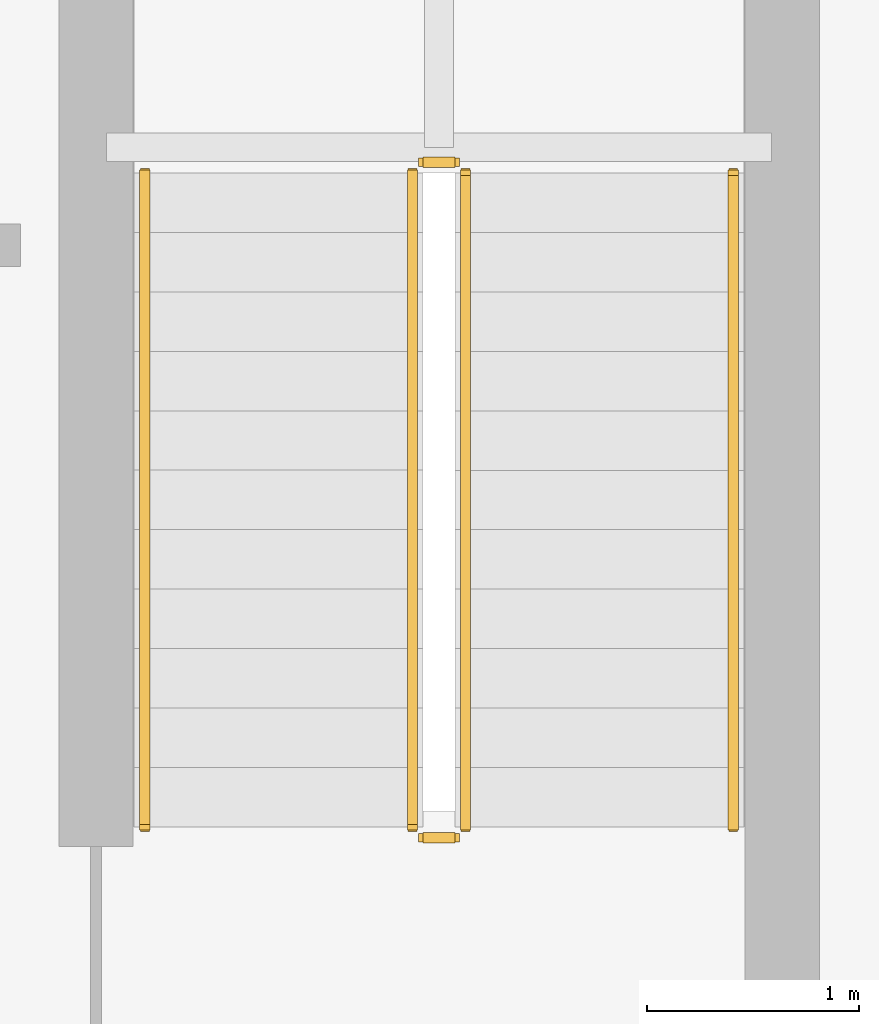
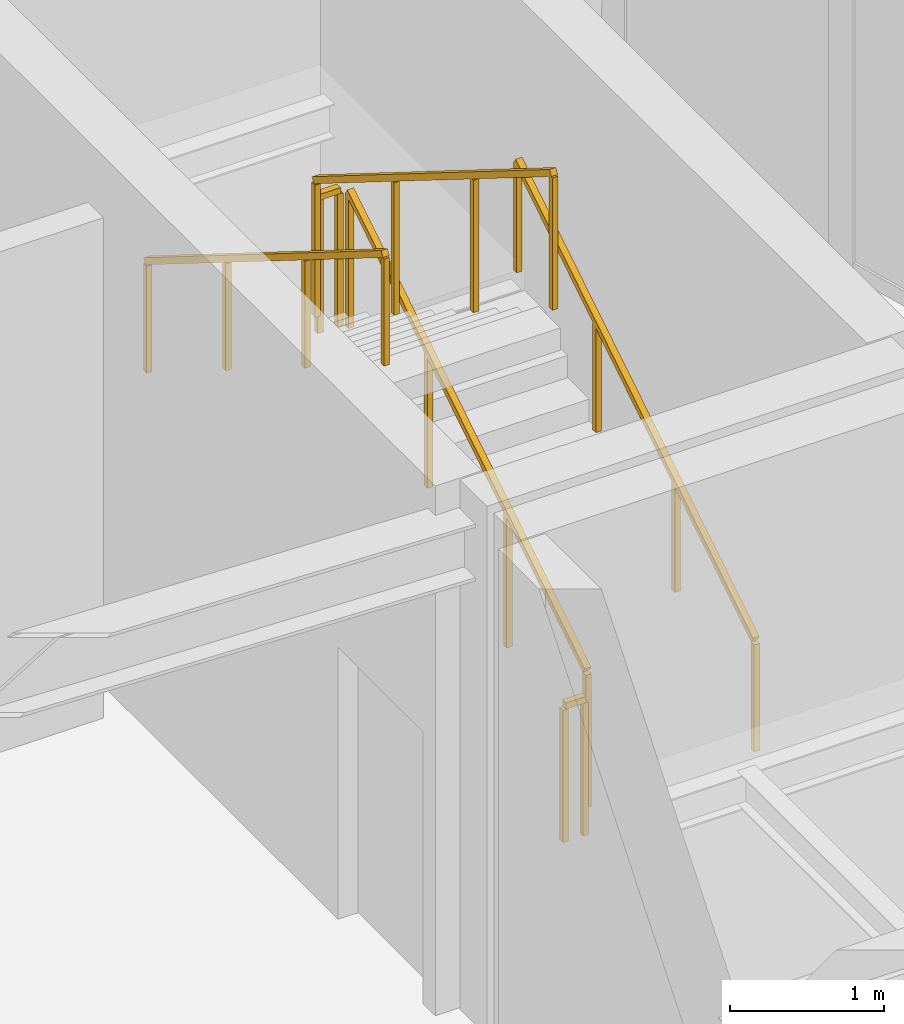
# One storey, part 21 of 21: 6 railings.
"""IFC4 building model written with IfcOpenShell, lengths in metres."""

from ifc_helpers import new_model, si_unit, direction, frame, origin, origin_2d, place, context, subcontext, project, spatial, rectangle, extrude, material, type_object, element, save


model = new_model("IFC4")

# Units and contexts
model_context = context("Model", 3, precision=1e-05, world=origin(), true_north=direction((0.0, 1.0)))
body_context = subcontext(model_context, "Body", "Model", "MODEL_VIEW")
ifc_project = project(units=[si_unit("LENGTHUNIT", "METRE"), si_unit("AREAUNIT", "SQUARE_METRE"), si_unit("VOLUMEUNIT", "CUBIC_METRE"), si_unit("PLANEANGLEUNIT", "RADIAN"), si_unit("MASSUNIT", "GRAM", prefix="KILO")], contexts=[model_context])

# Site, building, storey
site_placement = place(None, origin())
site = spatial("IfcSite", under=ifc_project, at=site_placement, CompositionType="ELEMENT")
building_placement = place(site_placement, origin())
building = spatial("IfcBuilding", under=site, at=building_placement, Name="Varnakorn Sky Granary", CompositionType="ELEMENT")
storey_placement = place(building_placement, frame((0.0, 0.0, 294.0)))
storey = spatial("IfcBuildingStorey", under=building, at=storey_placement, Name="L75", CompositionType="ELEMENT", Elevation=294.0)

# Railings
ifc_material = material(Name="Brushed Stainless Steel 316", Category="steel")
railing_type_1 = type_object("IfcRailingType", Name="RL-STAIR-1100", PredefinedType="GUARDRAIL", material=ifc_material)
railing_1_placement = place(storey_placement, frame((16.090087890625, 1.760009765625, 0.175048828125)))
element("IfcRailing", 1, at=railing_1_placement, inside=storey, type_object=railing_type_1, Name="L75 ST-C1 stair guard 1", PredefinedType="GUARDRAIL", context=body_context, shape_type="SweptSolid", body=[
    extrude(rectangle(XDim=0.048095703125, YDim=0.048095703125, at=origin_2d()), frame((0.0, 0.0, 1.076171875), z_axis=(0.0, 0.847998304005, 0.529998940003), x_axis=(-1.0, 0.0, 0.0)), (0.0, 0.0, 1.0), 3.632080078125),
    extrude(rectangle(XDim=0.0419921875, YDim=0.0419921875, at=origin_2d()), origin(), (0.0, 0.0, 1.0), 1.048095703125),
    extrude(rectangle(XDim=0.0419921875, YDim=0.0419921875, at=origin_2d()), frame((0.0, 1.026611328125, 0.6416015625)), (0.0, 0.0, 1.0), 1.048095703125),
    extrude(rectangle(XDim=0.0419921875, YDim=0.0419921875, at=origin_2d()), frame((0.0, 2.053466796875, 1.283447265625)), (0.0, 0.0, 1.0), 1.048095703125),
    extrude(rectangle(XDim=0.0419921875, YDim=0.0419921875, at=origin_2d()), frame((0.0, 3.080078125, 1.925048828125)), (0.0, 0.0, 1.0), 1.048095703125),
])
railing_2_placement = place(storey_placement, frame((16.0400390625, 4.889892578125, 2.10009765625)))
element("IfcRailing", 2, at=railing_2_placement, inside=storey, type_object=railing_type_1, Name="L75 ST-C1 stair guard 2", PredefinedType="GUARDRAIL", context=body_context, shape_type="SweptSolid", body=[
    extrude(rectangle(XDim=0.048095703125, YDim=0.048095703125, at=origin_2d()), frame((0.0, 0.0, 1.076171875), z_axis=(-1.0, 0.0, 0.0), x_axis=(0.0, -1.0, 0.0)), (0.0, 0.0, 1.0), 0.150146484375),
    extrude(rectangle(XDim=0.0419921875, YDim=0.0419921875, at=origin_2d()), origin(), (0.0, 0.0, 1.0), 1.048095703125),
    extrude(rectangle(XDim=0.0419921875, YDim=0.0419921875, at=origin_2d()), frame((-0.150146484375, 0.0, 0.0)), (0.0, 0.0, 1.0), 1.048095703125),
])
railing_3_placement = place(storey_placement, frame((15.840087890625, 4.840087890625, 2.27490234375)))
element("IfcRailing", 3, at=railing_3_placement, inside=storey, type_object=railing_type_1, Name="L75 ST-C1 stair guard 3", PredefinedType="GUARDRAIL", context=body_context, shape_type="SweptSolid", body=[
    extrude(rectangle(XDim=0.048095703125, YDim=0.048095703125, at=origin_2d()), frame((0.0, 0.0, 1.076171875), z_axis=(0.0, -0.847998304005, 0.529998940003), x_axis=(1.0, 0.0, 0.0)), (0.0, 0.0, 1.0), 3.632080078125),
    extrude(rectangle(XDim=0.0419921875, YDim=0.0419921875, at=origin_2d()), origin(), (0.0, 0.0, 1.0), 1.048095703125),
    extrude(rectangle(XDim=0.0419921875, YDim=0.0419921875, at=origin_2d()), frame((0.0, -1.026611328125, 0.6416015625)), (0.0, 0.0, 1.0), 1.048095703125),
    extrude(rectangle(XDim=0.0419921875, YDim=0.0419921875, at=origin_2d()), frame((0.0, -2.053466796875, 1.283447265625)), (0.0, 0.0, 1.0), 1.048095703125),
    extrude(rectangle(XDim=0.0419921875, YDim=0.0419921875, at=origin_2d()), frame((0.0, -3.080078125, 1.925048828125)), (0.0, 0.0, 1.0), 1.048095703125),
])
railing_4_placement = place(storey_placement, frame((16.0400390625, 1.7099609375, 0.0)))
element("IfcRailing", 4, at=railing_4_placement, inside=storey, type_object=railing_type_1, Name="L75 ST-C1 stair guard 4", PredefinedType="GUARDRAIL", context=body_context, shape_type="SweptSolid", body=[
    extrude(rectangle(XDim=0.048095703125, YDim=0.048095703125, at=origin_2d()), frame((0.0, 0.0, 1.076171875), z_axis=(-1.0, 0.0, 0.0), x_axis=(0.0, -1.0, 0.0)), (0.0, 0.0, 1.0), 0.150146484375),
    extrude(rectangle(XDim=0.0419921875, YDim=0.0419921875, at=origin_2d()), origin(), (0.0, 0.0, 1.0), 1.048095703125),
    extrude(rectangle(XDim=0.0419921875, YDim=0.0419921875, at=origin_2d()), frame((-0.150146484375, 0.0, 0.0)), (0.0, 0.0, 1.0), 1.048095703125),
])
railing_type_2 = type_object("IfcRailingType", Name="RL-STAIR-920", PredefinedType="HANDRAIL", material=ifc_material)
railing_5_placement = place(storey_placement, frame((17.35009765625, 1.760009765625, 0.175048828125)))
element("IfcRailing", 5, at=railing_5_placement, inside=storey, type_object=railing_type_2, Name="L75 ST-C1 stair handrail 1", PredefinedType="HANDRAIL", context=body_context, shape_type="SweptSolid", body=[
    extrude(rectangle(XDim=0.048095703125, YDim=0.048095703125, at=origin_2d()), frame((0.0, 0.0, 0.8759765625), z_axis=(0.0, 0.847998304005, 0.529998940003), x_axis=(-1.0, 0.0, 0.0)), (0.0, 0.0, 1.0), 3.632080078125),
    extrude(rectangle(XDim=0.0419921875, YDim=0.0419921875, at=origin_2d()), origin(), (0.0, 0.0, 1.0), 0.847900390625),
    extrude(rectangle(XDim=0.0419921875, YDim=0.0419921875, at=origin_2d()), frame((0.0, 1.026611328125, 0.6416015625)), (0.0, 0.0, 1.0), 0.847900390625),
    extrude(rectangle(XDim=0.0419921875, YDim=0.0419921875, at=origin_2d()), frame((0.0, 2.053466796875, 1.283447265625)), (0.0, 0.0, 1.0), 0.847900390625),
    extrude(rectangle(XDim=0.0419921875, YDim=0.0419921875, at=origin_2d()), frame((0.0, 3.080078125, 1.925048828125)), (0.0, 0.0, 1.0), 0.847900390625),
])
railing_6_placement = place(storey_placement, frame((14.580078125, 4.840087890625, 2.27490234375)))
element("IfcRailing", 6, at=railing_6_placement, inside=storey, type_object=railing_type_2, Name="L75 ST-C1 stair handrail 2", PredefinedType="HANDRAIL", context=body_context, shape_type="SweptSolid", body=[
    extrude(rectangle(XDim=0.048095703125, YDim=0.048095703125, at=origin_2d()), frame((0.0, 0.0, 0.8759765625), z_axis=(0.0, -0.847998304005, 0.529998940003), x_axis=(1.0, 0.0, 0.0)), (0.0, 0.0, 1.0), 3.632080078125),
    extrude(rectangle(XDim=0.0419921875, YDim=0.0419921875, at=origin_2d()), origin(), (0.0, 0.0, 1.0), 0.847900390625),
    extrude(rectangle(XDim=0.0419921875, YDim=0.0419921875, at=origin_2d()), frame((0.0, -1.026611328125, 0.6416015625)), (0.0, 0.0, 1.0), 0.847900390625),
    extrude(rectangle(XDim=0.0419921875, YDim=0.0419921875, at=origin_2d()), frame((0.0, -2.053466796875, 1.283447265625)), (0.0, 0.0, 1.0), 0.847900390625),
    extrude(rectangle(XDim=0.0419921875, YDim=0.0419921875, at=origin_2d()), frame((0.0, -3.080078125, 1.925048828125)), (0.0, 0.0, 1.0), 0.847900390625),
])

save(model, "model.ifc")
